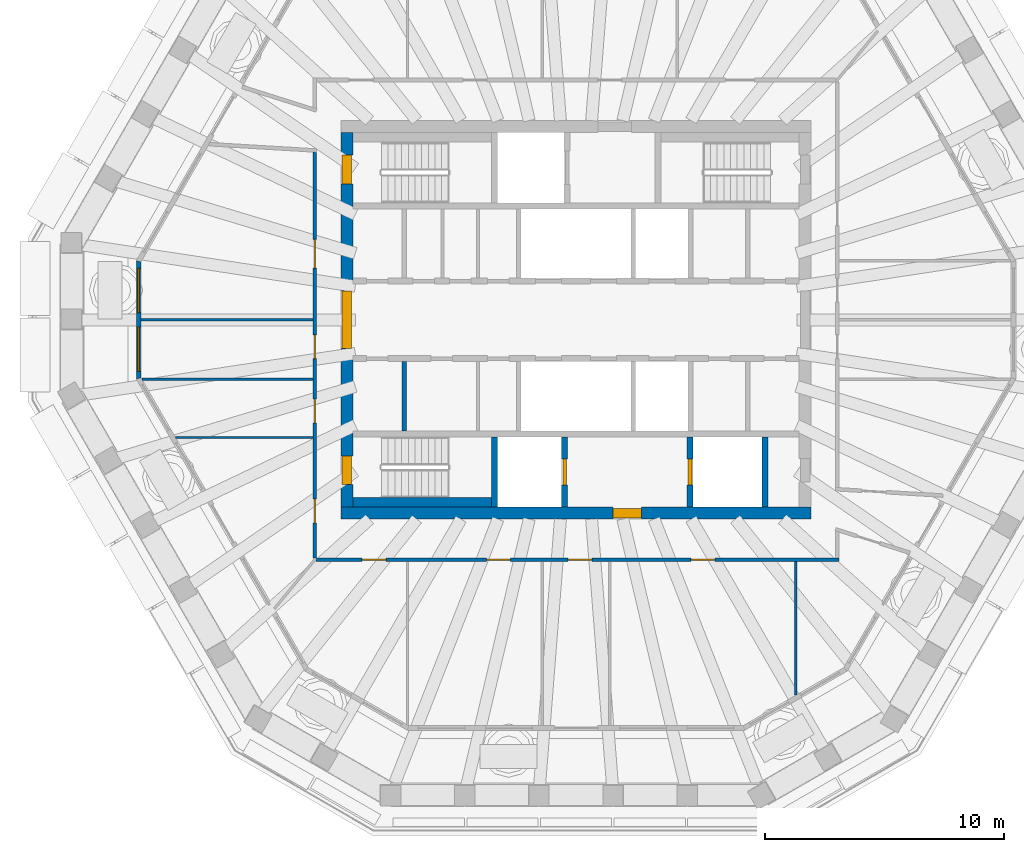
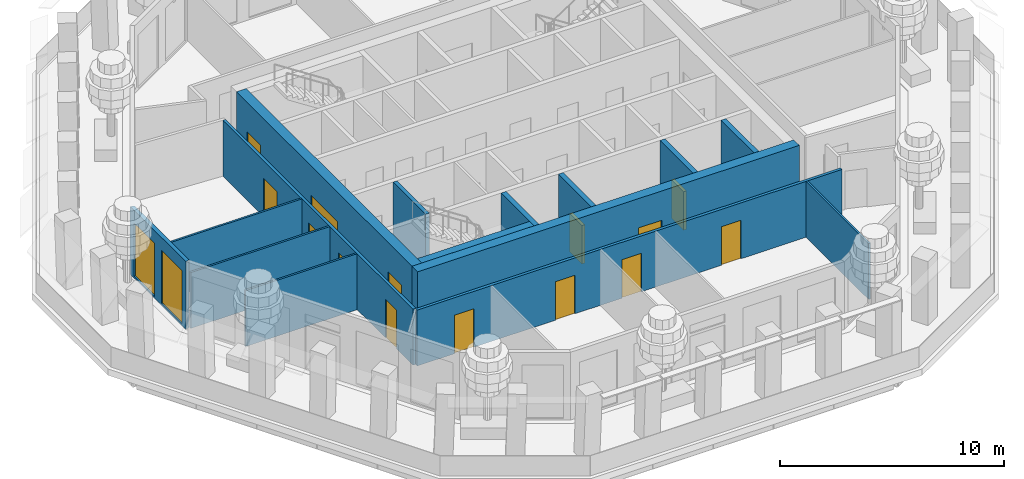
# One storey, part 4 of 13: 15 walls, 14 doors, 2 windows, 16 openings.
"""IFC4 building model written with IfcOpenShell, lengths in metres."""

from ifc_helpers import new_model, si_unit, direction, frame, frame_2d, origin, place, context, subcontext, project, spatial, polyline, rectangle, outline, extrude, material, layer, layer_set, type_object, element, fill, save


model = new_model("IFC4")

# Units and contexts
model_context = context("Model", 3, precision=1e-05, world=origin(), true_north=direction((0.0, 1.0)))
body_context = subcontext(model_context, "Body", "Model", "MODEL_VIEW")
ifc_project = project(units=[si_unit("LENGTHUNIT", "METRE"), si_unit("AREAUNIT", "SQUARE_METRE"), si_unit("VOLUMEUNIT", "CUBIC_METRE"), si_unit("PLANEANGLEUNIT", "RADIAN"), si_unit("MASSUNIT", "GRAM", prefix="KILO")], contexts=[model_context])

# Site, building, storey
site_placement = place(None, origin())
site = spatial("IfcSite", under=ifc_project, at=site_placement, CompositionType="ELEMENT")
building_placement = place(site_placement, origin())
building = spatial("IfcBuilding", under=site, at=building_placement, Name="Frailejon Research Tower", CompositionType="ELEMENT")
storey_placement = place(building_placement, frame((0.0, 0.0, 308.60009765625)))
storey = spatial("IfcBuildingStorey", under=building, at=storey_placement, Name="L68", CompositionType="ELEMENT", Elevation=308.60009765625)

# Wall, opening, door
ifc_material_1 = material(Name="Concrete C50/60", Category="concrete")
ifc_layer_1 = layer(ifc_material_1, 0.5)
ifc_layer_set_1 = layer_set([ifc_layer_1], Name="Core shear wall 500 C50/60")
wall_type_1 = type_object("IfcWallType", Name="Core shear wall 500 C50/60", PredefinedType="SHEAR", material=ifc_layer_set_1)
wall_1_placement = place(storey_placement, frame((-9.85009765625, -8.10009765625, 0.0), z_axis=(0.0, 0.0, 1.0), x_axis=(1.0, 0.0, 0.0)))
wall_1 = element("IfcWall", 1, at=wall_1_placement, inside=storey, type_object=wall_type_1, Name="Core shear wall", PredefinedType="SHEAR", context=body_context, shape_type="SweptSolid", body=[
    extrude(rectangle(XDim=19.7001953125, YDim=0.5, at=frame_2d((9.85009765625, 0.0))), origin(), (0.0, 0.0, 1.0), 3.699951171875),
])
opening_1_placement = place(wall_1_placement, frame((11.39990234375, 0.0, 0.0)))
opening_1 = element("IfcOpeningElement", 2, at=opening_1_placement, cuts=wall_1, Name="Opening D3", PredefinedType="OPENING", context=body_context, shape_type="SweptSolid", body=[
    extrude(rectangle(XDim=1.199951171875, YDim=2.10009765625, at=frame_2d((0.60009765625, 1.050048828125))), frame((0.0, 0.260009765625, 0.0), z_axis=(0.0, -1.0, 0.0), x_axis=(1.0, 0.0, 0.0)), (0.0, 0.0, 1.0), 0.52001953125),
])
ifc_material_2 = material(Name="Steel", Category="steel")
door_type_1 = type_object("IfcDoorType", Name="Firefighting lobby door", OperationType="SINGLE_SWING_LEFT", PredefinedType="DOOR", material=ifc_material_2)
door_1_placement = place(opening_1_placement, origin())
door_1 = element("IfcDoor", 3, at=door_1_placement, inside=storey, type_object=door_type_1, Name="Firefighting lobby door", OperationType="SINGLE_SWING_RIGHT", OverallHeight=2.10009765625, OverallWidth=1.199951171875, PredefinedType="DOOR", context=body_context, shape_type="SweptSolid", body=[
    extrude(rectangle(XDim=1.199951171875, YDim=2.10009765625, at=frame_2d((0.60009765625, 1.050048828125))), frame((0.0, 0.199951171875, 0.0), z_axis=(0.0, -1.0, 0.0), x_axis=(1.0, 0.0, 0.0)), (0.0, 0.0, 1.0), 0.39990234375),
])
fill(opening_1, door_1)

# Wall, openings, doors
wall_2_placement = place(storey_placement, frame((-9.60009765625, -7.85009765625, 0.0), z_axis=(0.0, 0.0, 1.0), x_axis=(0.0, 1.0, 0.0)))
wall_2 = element("IfcWall", 4, at=wall_2_placement, inside=storey, type_object=wall_type_1, Name="Core shear wall", PredefinedType="SHEAR", context=body_context, shape_type="SweptSolid", body=[
    extrude(rectangle(XDim=15.7001953125, YDim=0.5, at=frame_2d((7.85009765625, 0.0))), origin(), (0.0, 0.0, 1.0), 3.699951171875),
])
opening_2_placement = place(wall_2_placement, frame((6.64990234375, 0.0, 0.0)))
opening_2 = element("IfcOpeningElement", 5, at=opening_2_placement, cuts=wall_2, Name="Opening D2", PredefinedType="OPENING", context=body_context, shape_type="SweptSolid", body=[
    extrude(rectangle(XDim=2.39990234375, YDim=2.10009765625, at=frame_2d((1.199951171875, 1.050048828125))), frame((0.0, 0.260009765625, 0.0), z_axis=(0.0, -1.0, 0.0), x_axis=(1.0, 0.0, 0.0)), (0.0, 0.0, 1.0), 0.52001953125),
])
opening_3_placement = place(wall_2_placement, frame((13.550048828125, 0.0, 0.0)))
opening_3 = element("IfcOpeningElement", 6, at=opening_3_placement, cuts=wall_2, Name="Opening D1", PredefinedType="OPENING", context=body_context, shape_type="SweptSolid", body=[
    extrude(rectangle(XDim=1.199951171875, YDim=2.10009765625, at=frame_2d((0.60009765625, 1.050048828125))), frame((0.0, 0.260009765625, 0.0), z_axis=(0.0, -1.0, 0.0), x_axis=(1.0, 0.0, 0.0)), (0.0, 0.0, 1.0), 0.52001953125),
])
opening_4_placement = place(wall_2_placement, frame((0.949951171875, 0.0, 0.0)))
opening_4 = element("IfcOpeningElement", 7, at=opening_4_placement, cuts=wall_2, Name="Opening D1", PredefinedType="OPENING", context=body_context, shape_type="SweptSolid", body=[
    extrude(rectangle(XDim=1.199951171875, YDim=2.10009765625, at=frame_2d((0.60009765625, 1.050048828125))), frame((0.0, 0.260009765625, 0.0), z_axis=(0.0, -1.0, 0.0), x_axis=(1.0, 0.0, 0.0)), (0.0, 0.0, 1.0), 0.52001953125),
])
ifc_material_3 = material(Name="Steel", Category="steel")
door_type_2 = type_object("IfcDoorType", Name="Lobby double door", OperationType="DOUBLE_DOOR_SINGLE_SWING", PredefinedType="DOOR", material=ifc_material_3)
door_2_placement = place(opening_2_placement, origin())
door_2 = element("IfcDoor", 8, at=door_2_placement, inside=storey, type_object=door_type_2, Name="Lobby door", OperationType="DOUBLE_DOOR_SINGLE_SWING", OverallHeight=2.10009765625, OverallWidth=2.39990234375, PredefinedType="DOOR", context=body_context, shape_type="SweptSolid", body=[
    extrude(rectangle(XDim=2.39990234375, YDim=2.10009765625, at=frame_2d((1.199951171875, 1.050048828125))), frame((0.0, 0.199951171875, 0.0), z_axis=(0.0, -1.0, 0.0), x_axis=(1.0, 0.0, 0.0)), (0.0, 0.0, 1.0), 0.39990234375),
])
fill(opening_2, door_2)
ifc_material_4 = material(Name="Steel", Category="steel")
door_type_3 = type_object("IfcDoorType", Name="Stair door", OperationType="SINGLE_SWING_LEFT", PredefinedType="DOOR", material=ifc_material_4)
door_3_placement = place(opening_3_placement, origin())
door_3 = element("IfcDoor", 9, at=door_3_placement, inside=storey, type_object=door_type_3, Name="Stair door ST1", OperationType="SINGLE_SWING_LEFT", OverallHeight=2.10009765625, OverallWidth=1.199951171875, PredefinedType="DOOR", context=body_context, shape_type="SweptSolid", body=[
    extrude(rectangle(XDim=1.199951171875, YDim=2.10009765625, at=frame_2d((0.60009765625, 1.050048828125))), frame((0.0, 0.199951171875, 0.0), z_axis=(0.0, -1.0, 0.0), x_axis=(1.0, 0.0, 0.0)), (0.0, 0.0, 1.0), 0.39990234375),
])
fill(opening_3, door_3)
door_4_placement = place(opening_4_placement, origin())
door_4 = element("IfcDoor", 10, at=door_4_placement, inside=storey, type_object=door_type_3, Name="Stair door ST2", OperationType="SINGLE_SWING_RIGHT", OverallHeight=2.10009765625, OverallWidth=1.199951171875, PredefinedType="DOOR", context=body_context, shape_type="SweptSolid", body=[
    extrude(rectangle(XDim=1.199951171875, YDim=2.10009765625, at=frame_2d((0.60009765625, 1.050048828125))), frame((0.0, 0.199951171875, 0.0), z_axis=(0.0, -1.0, 0.0), x_axis=(1.0, 0.0, 0.0)), (0.0, 0.0, 1.0), 0.39990234375),
])
fill(opening_4, door_4)

ifc_material_5 = material(Name="Gypsum board and masonry partition", Category="masonry")
ifc_layer_2 = layer(ifc_material_5, 0.14990234375)
ifc_layer_set_2 = layer_set([ifc_layer_2], Name="Corridor wall EI 60, gypsum on steel studs 150")
wall_type_2 = type_object("IfcWallType", Name="Corridor wall EI 60, gypsum on steel studs 150", PredefinedType="PARTITIONING", material=ifc_layer_set_2)
wall_3_placement = place(storey_placement, frame((-10.949951171875, -9.97509765625, 0.0), z_axis=(0.0, 0.0, 1.0), x_axis=(0.0, 1.0, 0.0)))
wall_3 = element("IfcWall", 11, at=wall_3_placement, inside=storey, type_object=wall_type_2, Name="T:IW:L68:004", PredefinedType="PARTITIONING", context=body_context, shape_type="SweptSolid", body=[
    extrude(rectangle(XDim=17.0, YDim=0.14990234375, at=frame_2d((8.5, 0.0))), origin(), (0.0, 0.0, 1.0), 3.0498046875),
])
opening_5_placement = place(wall_3_placement, frame((12.14501953125, 0.0, 0.0)))
opening_5 = element("IfcOpeningElement", 12, at=opening_5_placement, cuts=wall_3, Name="Opening D2287", PredefinedType="OPENING", context=body_context, shape_type="SweptSolid", body=[
    extrude(rectangle(XDim=1.199951171875, YDim=2.10009765625, at=frame_2d((0.60009765625, 1.050048828125))), frame((0.0, 0.0849609375, 0.0), z_axis=(0.0, -1.0, 0.0), x_axis=(1.0, 0.0, 0.0)), (0.0, 0.0, 1.0), 0.169921875),
])
opening_6_placement = place(wall_3_placement, frame((8.35107421875, 0.0, 0.0)))
opening_6 = element("IfcOpeningElement", 13, at=opening_6_placement, cuts=wall_3, Name="Opening D2288", PredefinedType="OPENING", context=body_context, shape_type="SweptSolid", body=[
    extrude(rectangle(XDim=1.0, YDim=2.10009765625, at=frame_2d((0.5, 1.050048828125))), frame((0.0, 0.0849609375, 0.0), z_axis=(0.0, -1.0, 0.0), x_axis=(1.0, 0.0, 0.0)), (0.0, 0.0, 1.0), 0.169921875),
])
opening_7_placement = place(wall_3_placement, frame((5.656982421875, 0.0, 0.0)))
opening_7 = element("IfcOpeningElement", 14, at=opening_7_placement, cuts=wall_3, Name="Opening D2289", PredefinedType="OPENING", context=body_context, shape_type="SweptSolid", body=[
    extrude(rectangle(XDim=1.0, YDim=2.10009765625, at=frame_2d((0.5, 1.050048828125))), frame((0.0, 0.0849609375, 0.0), z_axis=(0.0, -1.0, 0.0), x_axis=(1.0, 0.0, 0.0)), (0.0, 0.0, 1.0), 0.169921875),
])
opening_8_placement = place(wall_3_placement, frame((1.47216796875, 0.0, 0.0)))
opening_8 = element("IfcOpeningElement", 15, at=opening_8_placement, cuts=wall_3, Name="Opening D2290", PredefinedType="OPENING", context=body_context, shape_type="SweptSolid", body=[
    extrude(rectangle(XDim=1.0, YDim=2.10009765625, at=frame_2d((0.5, 1.050048828125))), frame((0.0, 0.0849609375, 0.0), z_axis=(0.0, -1.0, 0.0), x_axis=(1.0, 0.0, 0.0)), (0.0, 0.0, 1.0), 0.169921875),
])
ifc_material_6 = material(Name="Timber door leaf", Category="wood")
door_type_4 = type_object("IfcDoorType", Name="Door single leaf, timber, steel frame 1000", OperationType="NOTDEFINED", PredefinedType="DOOR", material=ifc_material_6)
door_5_placement = place(opening_6_placement, origin())
door_5 = element("IfcDoor", 16, at=door_5_placement, inside=storey, type_object=door_type_4, Name="D2288", OperationType="SINGLE_SWING_RIGHT", OverallHeight=2.10009765625, OverallWidth=1.0, PredefinedType="DOOR", context=body_context, shape_type="SweptSolid", body=[
    extrude(rectangle(XDim=1.0, YDim=2.10009765625, at=frame_2d((0.5, 1.050048828125))), frame((0.0, 0.02490234375, 0.0), z_axis=(0.0, -1.0, 0.0), x_axis=(1.0, 0.0, 0.0)), (0.0, 0.0, 1.0), 0.050048828125),
])
fill(opening_6, door_5)
door_6_placement = place(opening_7_placement, origin())
door_6 = element("IfcDoor", 17, at=door_6_placement, inside=storey, type_object=door_type_4, Name="D2289", OperationType="SINGLE_SWING_RIGHT", OverallHeight=2.10009765625, OverallWidth=1.0, PredefinedType="DOOR", context=body_context, shape_type="SweptSolid", body=[
    extrude(rectangle(XDim=1.0, YDim=2.10009765625, at=frame_2d((0.5, 1.050048828125))), frame((0.0, 0.02490234375, 0.0), z_axis=(0.0, -1.0, 0.0), x_axis=(1.0, 0.0, 0.0)), (0.0, 0.0, 1.0), 0.050048828125),
])
fill(opening_7, door_6)
door_7_placement = place(opening_8_placement, origin())
door_7 = element("IfcDoor", 18, at=door_7_placement, inside=storey, type_object=door_type_4, Name="D2290", OperationType="SINGLE_SWING_RIGHT", OverallHeight=2.10009765625, OverallWidth=1.0, PredefinedType="DOOR", context=body_context, shape_type="SweptSolid", body=[
    extrude(rectangle(XDim=1.0, YDim=2.10009765625, at=frame_2d((0.5, 1.050048828125))), frame((0.0, 0.02490234375, 0.0), z_axis=(0.0, -1.0, 0.0), x_axis=(1.0, 0.0, 0.0)), (0.0, 0.0, 1.0), 0.050048828125),
])
fill(opening_8, door_7)
ifc_material_7 = material(Name="Timber door leaf", Category="wood")
door_type_5 = type_object("IfcDoorType", Name="Door single leaf, timber, steel frame 1200", OperationType="NOTDEFINED", PredefinedType="DOOR", material=ifc_material_7)
door_8_placement = place(opening_5_placement, origin())
door_8 = element("IfcDoor", 19, at=door_8_placement, inside=storey, type_object=door_type_5, Name="D2287", OperationType="DOUBLE_DOOR_SINGLE_SWING", OverallHeight=2.10009765625, OverallWidth=1.199951171875, PredefinedType="DOOR", context=body_context, shape_type="SweptSolid", body=[
    extrude(rectangle(XDim=1.199951171875, YDim=2.10009765625, at=frame_2d((0.60009765625, 1.050048828125))), frame((0.0, 0.02490234375, 0.0), z_axis=(0.0, -1.0, 0.0), x_axis=(1.0, 0.0, 0.0)), (0.0, 0.0, 1.0), 0.050048828125),
])
fill(opening_5, door_8)

wall_4_placement = place(storey_placement, frame((-10.89990234375, -10.050048828125, 0.0), z_axis=(0.0, 0.0, 1.0), x_axis=(1.0, 0.0, 0.0)))
wall_4 = element("IfcWall", 20, at=wall_4_placement, inside=storey, type_object=wall_type_2, Name="T:IW:L68:006", PredefinedType="PARTITIONING", context=body_context, shape_type="SweptSolid", body=[
    extrude(rectangle(XDim=21.9248046875, YDim=0.14990234375, at=frame_2d((10.96240234375, 0.0))), origin(), (0.0, 0.0, 1.0), 3.0498046875),
])
opening_9_placement = place(wall_4_placement, frame((1.939697265625, 0.0, 0.0)))
opening_9 = element("IfcOpeningElement", 21, at=opening_9_placement, cuts=wall_4, Name="Opening D2291", PredefinedType="OPENING", context=body_context, shape_type="SweptSolid", body=[
    extrude(rectangle(XDim=1.0, YDim=2.10009765625, at=frame_2d((0.5, 1.050048828125))), frame((0.0, 0.0849609375, 0.0), z_axis=(0.0, -1.0, 0.0), x_axis=(1.0, 0.0, 0.0)), (0.0, 0.0, 1.0), 0.169921875),
])
opening_10_placement = place(wall_4_placement, frame((7.1494140625, 0.0, 0.0)))
opening_10 = element("IfcOpeningElement", 22, at=opening_10_placement, cuts=wall_4, Name="Opening D2292", PredefinedType="OPENING", context=body_context, shape_type="SweptSolid", body=[
    extrude(rectangle(XDim=1.0, YDim=2.10009765625, at=frame_2d((0.5, 1.050048828125))), frame((0.0, 0.0849609375, 0.0), z_axis=(0.0, -1.0, 0.0), x_axis=(1.0, 0.0, 0.0)), (0.0, 0.0, 1.0), 0.169921875),
])
opening_11_placement = place(wall_4_placement, frame((10.56884765625, 0.0, 0.0)))
opening_11 = element("IfcOpeningElement", 23, at=opening_11_placement, cuts=wall_4, Name="Opening D2293", PredefinedType="OPENING", context=body_context, shape_type="SweptSolid", body=[
    extrude(rectangle(XDim=1.0, YDim=2.10009765625, at=frame_2d((0.5, 1.050048828125))), frame((0.0, 0.0849609375, 0.0), z_axis=(0.0, -1.0, 0.0), x_axis=(1.0, 0.0, 0.0)), (0.0, 0.0, 1.0), 0.169921875),
])
opening_12_placement = place(wall_4_placement, frame((15.71337890625, 0.0, 0.0)))
opening_12 = element("IfcOpeningElement", 24, at=opening_12_placement, cuts=wall_4, Name="Opening D2294", PredefinedType="OPENING", context=body_context, shape_type="SweptSolid", body=[
    extrude(rectangle(XDim=1.0, YDim=2.10009765625, at=frame_2d((0.5, 1.050048828125))), frame((0.0, 0.0849609375, 0.0), z_axis=(0.0, -1.0, 0.0), x_axis=(1.0, 0.0, 0.0)), (0.0, 0.0, 1.0), 0.169921875),
])
door_9_placement = place(opening_9_placement, origin())
door_9 = element("IfcDoor", 25, at=door_9_placement, inside=storey, type_object=door_type_4, Name="D2291", OperationType="SINGLE_SWING_LEFT", OverallHeight=2.10009765625, OverallWidth=1.0, PredefinedType="DOOR", context=body_context, shape_type="SweptSolid", body=[
    extrude(rectangle(XDim=1.0, YDim=2.10009765625, at=frame_2d((0.5, 1.050048828125))), frame((0.0, 0.02490234375, 0.0), z_axis=(0.0, -1.0, 0.0), x_axis=(1.0, 0.0, 0.0)), (0.0, 0.0, 1.0), 0.050048828125),
])
fill(opening_9, door_9)
door_10_placement = place(opening_10_placement, origin())
door_10 = element("IfcDoor", 26, at=door_10_placement, inside=storey, type_object=door_type_4, Name="D2292", OperationType="SINGLE_SWING_RIGHT", OverallHeight=2.10009765625, OverallWidth=1.0, PredefinedType="DOOR", context=body_context, shape_type="SweptSolid", body=[
    extrude(rectangle(XDim=1.0, YDim=2.10009765625, at=frame_2d((0.5, 1.050048828125))), frame((0.0, 0.02490234375, 0.0), z_axis=(0.0, -1.0, 0.0), x_axis=(1.0, 0.0, 0.0)), (0.0, 0.0, 1.0), 0.050048828125),
])
fill(opening_10, door_10)
door_11_placement = place(opening_11_placement, origin())
door_11 = element("IfcDoor", 27, at=door_11_placement, inside=storey, type_object=door_type_4, Name="D2293", OperationType="SINGLE_SWING_RIGHT", OverallHeight=2.10009765625, OverallWidth=1.0, PredefinedType="DOOR", context=body_context, shape_type="SweptSolid", body=[
    extrude(rectangle(XDim=1.0, YDim=2.10009765625, at=frame_2d((0.5, 1.050048828125))), frame((0.0, 0.02490234375, 0.0), z_axis=(0.0, -1.0, 0.0), x_axis=(1.0, 0.0, 0.0)), (0.0, 0.0, 1.0), 0.050048828125),
])
fill(opening_11, door_11)
door_12_placement = place(opening_12_placement, origin())
door_12 = element("IfcDoor", 28, at=door_12_placement, inside=storey, type_object=door_type_4, Name="D2294", OperationType="SINGLE_SWING_RIGHT", OverallHeight=2.10009765625, OverallWidth=1.0, PredefinedType="DOOR", context=body_context, shape_type="SweptSolid", body=[
    extrude(rectangle(XDim=1.0, YDim=2.10009765625, at=frame_2d((0.5, 1.050048828125))), frame((0.0, 0.02490234375, 0.0), z_axis=(0.0, -1.0, 0.0), x_axis=(1.0, 0.0, 0.0)), (0.0, 0.0, 1.0), 0.050048828125),
])
fill(opening_12, door_12)

# Walls
ifc_material_8 = material(Name="Gypsum board and masonry partition", Category="masonry")
ifc_layer_3 = layer(ifc_material_8, 0.10009765625)
ifc_layer_set_3 = layer_set([ifc_layer_3], Name="Partition, gypsum on steel studs 100")
wall_type_3 = type_object("IfcWallType", Name="Partition, gypsum on steel studs 100", PredefinedType="PARTITIONING", material=ifc_layer_set_3)
wall_5_placement = place(storey_placement, frame((-18.2275390625, 0.0, 0.0), z_axis=(0.0, 0.0, 1.0), x_axis=(1.0, 0.0, 0.0)))
element("IfcWall", 29, at=wall_5_placement, inside=storey, type_object=wall_type_3, Name="T:IW:L68:012", PredefinedType="PARTITIONING", context=body_context, shape_type="SweptSolid", body=[
    extrude(rectangle(XDim=7.20263671875, YDim=0.10009765625, at=frame_2d((3.601318359375, 0.0))), origin(), (0.0, 0.0, 1.0), 3.0498046875),
])
wall_6_placement = place(storey_placement, frame((-18.196533203125, -2.482666015625, 0.0), z_axis=(0.0, 0.0, 1.0), x_axis=(1.0, 0.0, 0.0)))
element("IfcWall", 30, at=wall_6_placement, inside=storey, type_object=wall_type_3, Name="T:IW:L68:020", PredefinedType="PARTITIONING", context=body_context, shape_type="SweptSolid", body=[
    extrude(rectangle(XDim=7.171630859375, YDim=0.10009765625, at=frame_2d((3.5859375, 0.0))), origin(), (0.0, 0.0, 1.0), 3.0498046875),
])
wall_7_placement = place(storey_placement, frame((-16.78369140625, -4.9296875, 0.0), z_axis=(0.0, 0.0, 1.0), x_axis=(1.0, 0.0, 0.0)))
element("IfcWall", 31, at=wall_7_placement, inside=storey, type_object=wall_type_3, Name="T:IW:L68:022", PredefinedType="PARTITIONING", context=body_context, shape_type="SweptSolid", body=[
    extrude(rectangle(XDim=5.7587890625, YDim=0.10009765625, at=frame_2d((2.87939453125, 0.0))), origin(), (0.0, 0.0, 1.0), 3.0498046875),
])
wall_8_placement = place(storey_placement, frame((9.2138671875, -15.727783203125, 0.0), z_axis=(0.0, 0.0, 1.0), x_axis=(0.0, 1.0, 0.0)))
element("IfcWall", 32, at=wall_8_placement, inside=storey, type_object=wall_type_3, Name="T:IW:L68:025", PredefinedType="PARTITIONING", context=body_context, shape_type="SweptSolid", body=[
    extrude(rectangle(XDim=5.602783203125, YDim=0.10009765625, at=frame_2d((2.80126953125, 0.0))), origin(), (0.0, 0.0, 1.0), 3.0498046875),
])
ifc_material_9 = material(Name="Concrete C50/60", Category="concrete")
ifc_layer_4 = layer(ifc_material_9, 0.199951171875)
ifc_layer_set_4 = layer_set([ifc_layer_4], Name="Shaft wall 200 C50/60")
wall_type_4 = type_object("IfcWallType", Name="Shaft wall 200 C50/60", PredefinedType="SOLIDWALL", material=ifc_layer_set_4)
wall_9_placement = place(storey_placement, frame((-7.199951171875, -4.64990234375, 0.0), z_axis=(0.0, 0.0, 1.0), x_axis=(0.0, 1.0, 0.0)))
element("IfcWall", 33, at=wall_9_placement, inside=storey, type_object=wall_type_4, Name="Shaft wall", PredefinedType="SOLIDWALL", context=body_context, shape_type="SweptSolid", body=[
    extrude(rectangle(XDim=2.89990234375, YDim=0.199951171875, at=frame_2d((1.449951171875, 0.0))), origin(), (0.0, 0.0, 1.0), 3.699951171875),
])
ifc_material_10 = material(Name="Concrete C50/60", Category="concrete")
ifc_layer_5 = layer(ifc_material_10, 0.25)
ifc_layer_set_5 = layer_set([ifc_layer_5], Name="Shaft wall 250 C50/60")
wall_type_5 = type_object("IfcWallType", Name="Shaft wall 250 C50/60", PredefinedType="SOLIDWALL", material=ifc_layer_set_5)
wall_10_placement = place(storey_placement, frame((-3.425048828125, -7.85009765625, 0.0), z_axis=(0.0, 0.0, 1.0), x_axis=(0.0, 1.0, 0.0)))
element("IfcWall", 34, at=wall_10_placement, inside=storey, type_object=wall_type_5, Name="Shaft wall", PredefinedType="SOLIDWALL", context=body_context, shape_type="SweptSolid", body=[
    extrude(rectangle(XDim=2.9501953125, YDim=0.25, at=frame_2d((1.47509765625, 0.0))), origin(), (0.0, 0.0, 1.0), 3.699951171875),
])

# Wall, opening, door
wall_11_placement = place(storey_placement, frame((-0.47509765625, -7.85009765625, 0.0), z_axis=(0.0, 0.0, 1.0), x_axis=(0.0, 1.0, 0.0)))
wall_11 = element("IfcWall", 35, at=wall_11_placement, inside=storey, type_object=wall_type_5, Name="Shaft wall", PredefinedType="SOLIDWALL", context=body_context, shape_type="SweptSolid", body=[
    extrude(rectangle(XDim=2.9501953125, YDim=0.25, at=frame_2d((1.47509765625, 0.0))), origin(), (0.0, 0.0, 1.0), 3.699951171875),
])
opening_13_placement = place(wall_11_placement, frame((0.925048828125, 0.0, 0.0)))
opening_13 = element("IfcOpeningElement", 36, at=opening_13_placement, cuts=wall_11, Name="Opening LD", PredefinedType="OPENING", context=body_context, shape_type="SweptSolid", body=[
    extrude(rectangle(XDim=1.10009765625, YDim=2.10009765625, at=frame_2d((0.550048828125, 1.050048828125))), frame((0.0, 0.135009765625, 0.0), z_axis=(0.0, -1.0, 0.0), x_axis=(1.0, 0.0, 0.0)), (0.0, 0.0, 1.0), 0.27001953125),
])
ifc_material_11 = material(Name="Steel", Category="steel")
door_type_6 = type_object("IfcDoorType", Name="Lift landing door", OperationType="DOUBLE_DOOR_SLIDING", PredefinedType="DOOR", material=ifc_material_11)
door_13_placement = place(opening_13_placement, origin())
door_13 = element("IfcDoor", 37, at=door_13_placement, inside=storey, type_object=door_type_6, Name="Lift landing door", OperationType="DOUBLE_DOOR_SLIDING", OverallHeight=2.10009765625, OverallWidth=1.10009765625, PredefinedType="DOOR", context=body_context, shape_type="SweptSolid", body=[
    extrude(rectangle(XDim=1.10009765625, YDim=2.10009765625, at=frame_2d((0.550048828125, 1.050048828125))), frame((0.0, 0.074951171875, 0.0), z_axis=(0.0, -1.0, 0.0), x_axis=(1.0, 0.0, 0.0)), (0.0, 0.0, 1.0), 0.14990234375),
])
fill(opening_13, door_13)

wall_12_placement = place(storey_placement, frame((4.77490234375, -7.85009765625, 0.0), z_axis=(0.0, 0.0, 1.0), x_axis=(0.0, 1.0, 0.0)))
wall_12 = element("IfcWall", 38, at=wall_12_placement, inside=storey, type_object=wall_type_5, Name="Shaft wall", PredefinedType="SOLIDWALL", context=body_context, shape_type="SweptSolid", body=[
    extrude(rectangle(XDim=2.9501953125, YDim=0.25, at=frame_2d((1.47509765625, 0.0))), origin(), (0.0, 0.0, 1.0), 3.699951171875),
])
opening_14_placement = place(wall_12_placement, frame((0.925048828125, 0.0, 0.0)))
opening_14 = element("IfcOpeningElement", 39, at=opening_14_placement, cuts=wall_12, Name="Opening LD", PredefinedType="OPENING", context=body_context, shape_type="SweptSolid", body=[
    extrude(rectangle(XDim=1.10009765625, YDim=2.10009765625, at=frame_2d((0.550048828125, 1.050048828125))), frame((0.0, 0.135009765625, 0.0), z_axis=(0.0, -1.0, 0.0), x_axis=(1.0, 0.0, 0.0)), (0.0, 0.0, 1.0), 0.27001953125),
])
door_14_placement = place(opening_14_placement, origin())
door_14 = element("IfcDoor", 40, at=door_14_placement, inside=storey, type_object=door_type_6, Name="Lift landing door", OperationType="DOUBLE_DOOR_SLIDING", OverallHeight=2.10009765625, OverallWidth=1.10009765625, PredefinedType="DOOR", context=body_context, shape_type="SweptSolid", body=[
    extrude(rectangle(XDim=1.10009765625, YDim=2.10009765625, at=frame_2d((0.550048828125, 1.050048828125))), frame((0.0, 0.074951171875, 0.0), z_axis=(0.0, -1.0, 0.0), x_axis=(1.0, 0.0, 0.0)), (0.0, 0.0, 1.0), 0.14990234375),
])
fill(opening_14, door_14)

# Walls
wall_13_placement = place(storey_placement, frame((7.925048828125, -7.85009765625, 0.0), z_axis=(0.0, 0.0, 1.0), x_axis=(0.0, 1.0, 0.0)))
element("IfcWall", 41, at=wall_13_placement, inside=storey, type_object=wall_type_5, Name="Shaft wall", PredefinedType="SOLIDWALL", context=body_context, shape_type="SweptSolid", body=[
    extrude(rectangle(XDim=2.9501953125, YDim=0.25, at=frame_2d((1.47509765625, 0.0))), origin(), (0.0, 0.0, 1.0), 3.699951171875),
])
ifc_material_12 = material(Name="Concrete C50/60", Category="concrete")
ifc_layer_6 = layer(ifc_material_12, 0.39990234375)
ifc_layer_set_6 = layer_set([ifc_layer_6], Name="Shaft wall 400 C50/60")
wall_type_6 = type_object("IfcWallType", Name="Shaft wall 400 C50/60", PredefinedType="SOLIDWALL", material=ifc_layer_set_6)
wall_14_placement = place(storey_placement, frame((-9.35009765625, -7.64990234375, 0.0), z_axis=(0.0, 0.0, 1.0), x_axis=(1.0, 0.0, 0.0)))
element("IfcWall", 42, at=wall_14_placement, inside=storey, type_object=wall_type_6, Name="Shaft wall", PredefinedType="SOLIDWALL", context=body_context, shape_type="SweptSolid", body=[
    extrude(rectangle(XDim=5.800048828125, YDim=0.39990234375, at=frame_2d((2.89990234375, 0.0))), origin(), (0.0, 0.0, 1.0), 3.699951171875),
])

# Wall, openings, windows
ifc_material_13 = material(Name="Concrete C40/50 precast window wall panel", Category="concrete")
ifc_layer_7 = layer(ifc_material_13, 0.199951171875)
ifc_layer_set_7 = layer_set([ifc_layer_7], Name="Window wall 200")
wall_type_7 = type_object("IfcWallType", Name="Window wall 200", PredefinedType="SOLIDWALL", material=ifc_layer_set_7)
wall_15_placement = place(storey_placement, frame((-18.327392578125, 2.455810546875, 0.0), z_axis=(0.0, 0.0, 1.0), x_axis=(0.0, -1.0, 0.0)))
wall_15 = element("IfcWall", 43, at=wall_15_placement, inside=storey, type_object=wall_type_7, Name="Exterior wall L68", PredefinedType="SOLIDWALL", context=body_context, shape_type="SweptSolid", body=[
    extrude(outline(polyline([(-0.02685546875, -0.10009765625), (1.21435546875, -0.10009765625), (2.455810546875, -0.10009765625), (3.697265625, -0.10009765625), (4.9384765625, -0.10009765625), (4.884765625, 0.10009765625), (3.67041015625, 0.10009765625), (2.455810546875, 0.10009765625), (1.2412109375, 0.10009765625), (0.02685546875, 0.10009765625), (-0.02685546875, -0.10009765625)])), origin(), (0.0, 0.0, 1.0), 3.699951171875),
])
opening_15_placement = place(wall_15_placement, frame((0.302978515625, 0.0, 0.10009765625)))
opening_15 = element("IfcOpeningElement", 44, at=opening_15_placement, cuts=wall_15, Name="Opening W26", PredefinedType="OPENING", context=body_context, shape_type="SweptSolid", body=[
    extrude(rectangle(XDim=1.85009765625, YDim=2.89990234375, at=frame_2d((0.925048828125, 1.449951171875))), frame((0.0, 0.10986328125, 0.0), z_axis=(0.0, -1.0, 0.0), x_axis=(1.0, 0.0, 0.0)), (0.0, 0.0, 1.0), 0.219970703125),
])
opening_16_placement = place(wall_15_placement, frame((2.7587890625, 0.0, 0.10009765625)))
opening_16 = element("IfcOpeningElement", 45, at=opening_16_placement, cuts=wall_15, Name="Opening W26", PredefinedType="OPENING", context=body_context, shape_type="SweptSolid", body=[
    extrude(rectangle(XDim=1.85009765625, YDim=2.89990234375, at=frame_2d((0.925048828125, 1.449951171875))), frame((0.0, 0.10986328125, 0.0), z_axis=(0.0, -1.0, 0.0), x_axis=(1.0, 0.0, 0.0)), (0.0, 0.0, 1.0), 0.219970703125),
])
ifc_material_14 = material(Name="Aluminium framed double glazing", Category="aluminium")
window_type = type_object("IfcWindowType", Name="Window 1850x2900", PartitioningType="SINGLE_PANEL", PredefinedType="WINDOW", material=ifc_material_14)
window_1_placement = place(opening_15_placement, origin())
window_1 = element("IfcWindow", 46, at=window_1_placement, inside=storey, type_object=window_type, Name="Window L68", OverallHeight=2.89990234375, OverallWidth=1.85009765625, PartitioningType="SINGLE_PANEL", PredefinedType="WINDOW", context=body_context, shape_type="SweptSolid", body=[
    extrude(rectangle(XDim=1.85009765625, YDim=2.89990234375, at=frame_2d((0.925048828125, 1.449951171875))), frame((0.0, 0.030029296875, 0.0), z_axis=(0.0, -1.0, 0.0), x_axis=(1.0, 0.0, 0.0)), (0.0, 0.0, 1.0), 0.06005859375),
])
fill(opening_15, window_1)
window_2_placement = place(opening_16_placement, origin())
window_2 = element("IfcWindow", 47, at=window_2_placement, inside=storey, type_object=window_type, Name="Window L68", OverallHeight=2.89990234375, OverallWidth=1.85009765625, PartitioningType="SINGLE_PANEL", PredefinedType="WINDOW", context=body_context, shape_type="SweptSolid", body=[
    extrude(rectangle(XDim=1.85009765625, YDim=2.89990234375, at=frame_2d((0.925048828125, 1.449951171875))), frame((0.0, 0.030029296875, 0.0), z_axis=(0.0, -1.0, 0.0), x_axis=(1.0, 0.0, 0.0)), (0.0, 0.0, 1.0), 0.06005859375),
])
fill(opening_16, window_2)

save(model, "model.ifc")
